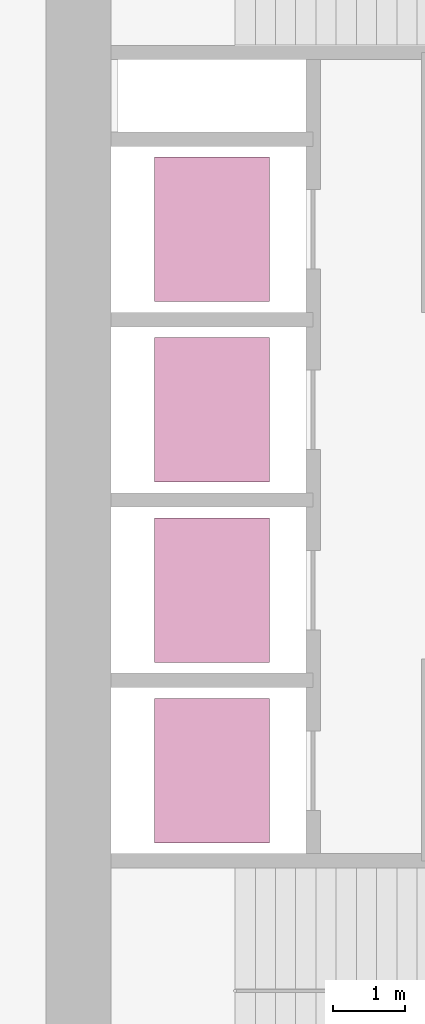
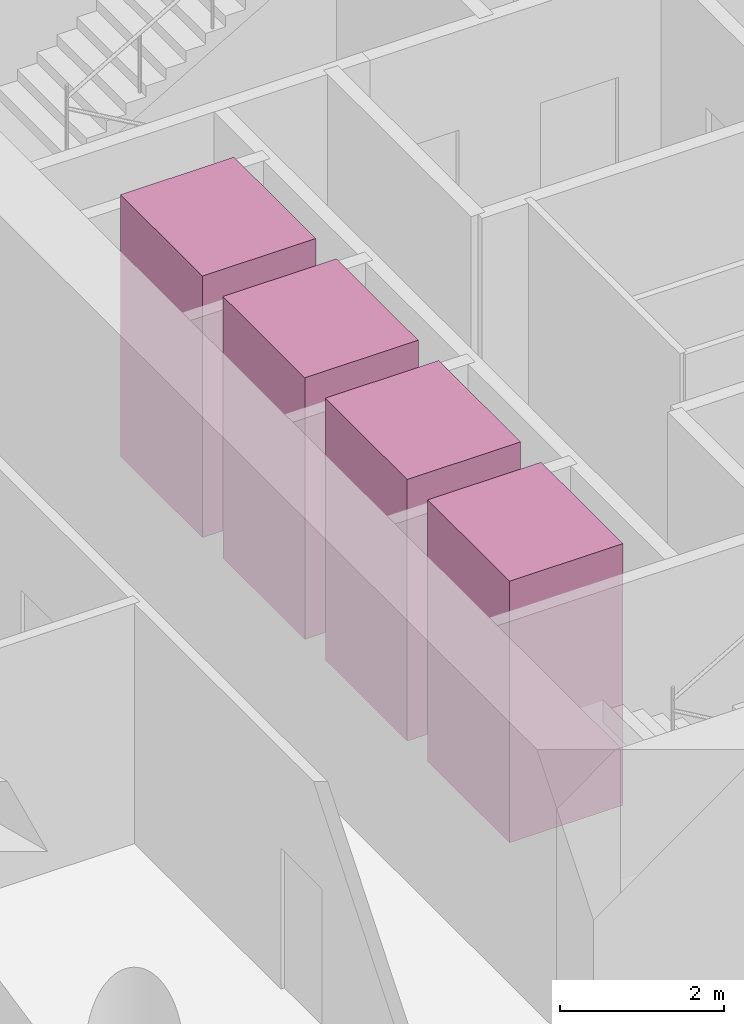
# One storey, part 10 of 10: 4 transport elements.
"""IFC4 building model written with IfcOpenShell, lengths in metres."""

from ifc_helpers import new_model, si_unit, direction, frame, origin, origin_2d, place, context, subcontext, project, spatial, rectangle, extrude, material, type_object, element, save


model = new_model("IFC4")

# Units and contexts
model_context = context("Model", 3, precision=1e-05, world=origin(), true_north=direction((0.0, 1.0)))
body_context = subcontext(model_context, "Body", "Model", "MODEL_VIEW")
ifc_project = project(units=[si_unit("LENGTHUNIT", "METRE"), si_unit("AREAUNIT", "SQUARE_METRE"), si_unit("VOLUMEUNIT", "CUBIC_METRE"), si_unit("PLANEANGLEUNIT", "RADIAN"), si_unit("MASSUNIT", "GRAM", prefix="KILO")], contexts=[model_context])

# Site, building, storey
site_placement = place(None, origin())
site = spatial("IfcSite", under=ifc_project, at=site_placement, CompositionType="ELEMENT")
building_placement = place(site_placement, origin())
building = spatial("IfcBuilding", under=site, at=building_placement, Name="Qaws Garden Tower", CompositionType="ELEMENT")
storey_placement = place(building_placement, frame((0.0, 0.0, 66.60009765625)))
storey = spatial("IfcBuildingStorey", under=building, at=storey_placement, Name="L16", CompositionType="ELEMENT", Elevation=66.60009765625)

# Transport elements
ifc_material = material(Name="Stainless steel 316", Category="steel")
transport_element_type = type_object("IfcTransportElementType", Name="Passenger lift car 2000x1600 1800 kg", PredefinedType="ELEVATOR", material=ifc_material)
for number, where, z_axis, x_axis, name in (
    (1, (10.300048828125, 13.64990234375, 0.0), (0.0, 0.0, 1.0), (1.0, 0.0, 0.0), "LR1"),
    (2, (10.300048828125, 16.14990234375, 0.0), (0.0, 0.0, 1.0), (1.0, 0.0, 0.0), "LR2"),
    (3, (10.300048828125, 18.64990234375, 0.0), (0.0, 0.0, 1.0), (1.0, 0.0, 0.0), "LR3"),
    (4, (10.300048828125, 21.14990234375, 0.0), (0.0, 0.0, 1.0), (1.0, 0.0, 0.0), "LR4"),
):
    element("IfcTransportElement", number, at=place(storey_placement, frame(where, z_axis=z_axis, x_axis=x_axis)), inside=storey, type_object=transport_element_type, Name=name, PredefinedType="ELEVATOR", context=body_context, shape_type="SweptSolid", body=[
        extrude(rectangle(XDim=1.60009765625, YDim=2.0, at=origin_2d()), origin(), (0.0, 0.0, 1.0), 3.89990234375),
    ])

save(model, "model.ifc")
